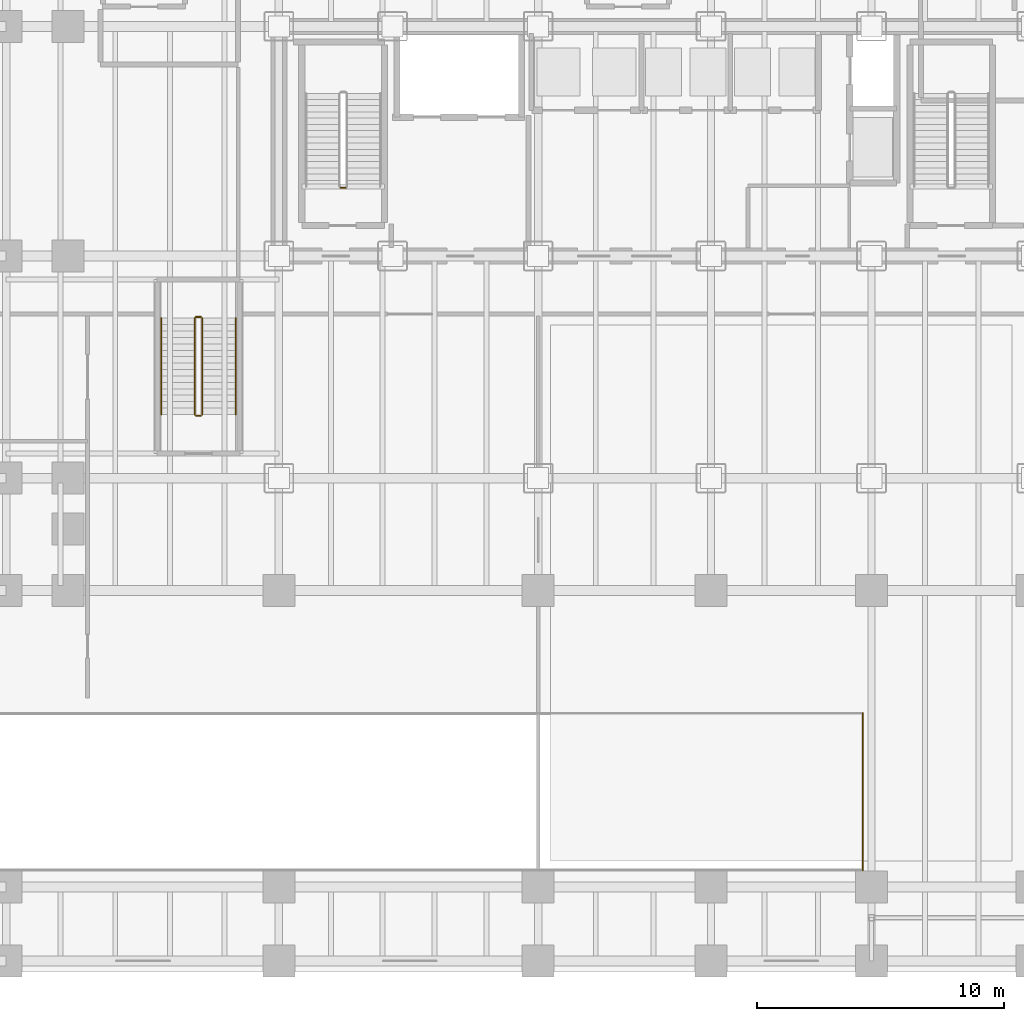
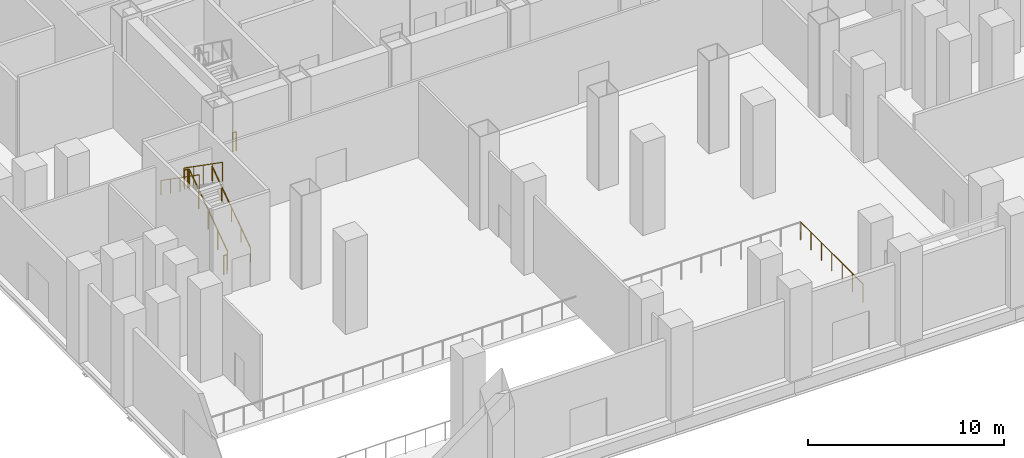
# One storey, part 28 of 36: 8 railings.
"""IFC4 building model written with IfcOpenShell, lengths in metres."""

from ifc_helpers import new_model, si_unit, direction, frame, origin, origin_2d, place, context, subcontext, project, spatial, circle, extrude, material, layer, layer_set, type_object, element, save


model = new_model("IFC4")

# Units and contexts
model_context = context("Model", 3, precision=1e-05, world=origin(), true_north=direction((0.0, 1.0)))
body_context = subcontext(model_context, "Body", "Model", "MODEL_VIEW")
ifc_project = project(units=[si_unit("LENGTHUNIT", "METRE"), si_unit("AREAUNIT", "SQUARE_METRE"), si_unit("VOLUMEUNIT", "CUBIC_METRE"), si_unit("PLANEANGLEUNIT", "RADIAN"), si_unit("MASSUNIT", "GRAM", prefix="KILO")], contexts=[model_context])

# Site, building, storey
site_placement = place(None, origin())
site = spatial("IfcSite", under=ifc_project, at=site_placement, CompositionType="ELEMENT")
building_placement = place(site_placement, origin())
building = spatial("IfcBuilding", under=site, at=building_placement, Name="Noeulbin Bourse Tower", CompositionType="ELEMENT")
storey_placement = place(building_placement, origin())
storey = spatial("IfcBuildingStorey", under=building, at=storey_placement, Name="L01", CompositionType="ELEMENT", Elevation=0.0)

# Railings
ifc_material_1 = material(Name="Galvanised Tubular Steel S355", Category="steel")
ifc_layer_1 = layer(ifc_material_1, 0.06005859375)
ifc_layer_set_1 = layer_set([ifc_layer_1], Name="Galvanised Tubular Steel S355")
railing_type_1 = type_object("IfcRailingType", Name="RLG-RMP-1100", PredefinedType="GUARDRAIL", material=ifc_layer_set_1)
railing_1_placement = place(storey_placement, frame((37.14990234375, 4.1201171875, 0.0)))
element("IfcRailing", 1, at=railing_1_placement, inside=storey, type_object=railing_type_1, Name="Ramp Portal East Head Guardrail GD-R11-E", PredefinedType="GUARDRAIL", context=body_context, shape_type="SweptSolid", body=[
    extrude(circle(Radius=0.02392578125, at=origin_2d()), frame((0.0, 0.0, 1.1259765625), z_axis=(0.0, 1.0, 0.0), x_axis=(-1.0, 0.0, 0.0)), (0.0, 0.0, 1.0), 6.35986328125),
    extrude(circle(Radius=0.02099609375, at=origin_2d()), origin(), (0.0, 0.0, 1.0), 1.101806640625),
    extrude(circle(Radius=0.02099609375, at=origin_2d()), frame((0.0, 1.06005859375, 0.0)), (0.0, 0.0, 1.0), 1.101806640625),
    extrude(circle(Radius=0.02099609375, at=origin_2d()), frame((0.0, 2.119873046875, 0.0)), (0.0, 0.0, 1.0), 1.101806640625),
    extrude(circle(Radius=0.02099609375, at=origin_2d()), frame((0.0, 3.179931640625, 0.0)), (0.0, 0.0, 1.0), 1.101806640625),
    extrude(circle(Radius=0.02099609375, at=origin_2d()), frame((0.0, 4.239990234375, 0.0)), (0.0, 0.0, 1.0), 1.101806640625),
    extrude(circle(Radius=0.02099609375, at=origin_2d()), frame((0.0, 5.2998046875, 0.0)), (0.0, 0.0, 1.0), 1.101806640625),
    extrude(circle(Radius=0.02099609375, at=origin_2d()), frame((0.0, 6.35986328125, 0.0)), (0.0, 0.0, 1.0), 1.101806640625),
])
ifc_material_2 = material(Name="Painted Tubular Steel S355", Category="steel")
ifc_layer_2 = layer(ifc_material_2, 0.048095703125)
ifc_layer_set_2 = layer_set([ifc_layer_2], Name="Painted Tubular Steel S355")
railing_type_2 = type_object("IfcRailingType", Name="RLG-STR-GRD", PredefinedType="GUARDRAIL", material=ifc_layer_set_2)
railing_2_placement = place(storey_placement, frame((16.199951171875, 31.760009765625, 0.0)))
element("IfcRailing", 2, at=railing_2_placement, inside=storey, type_object=railing_type_2, Name="L01 ST-1 stair guard 4", PredefinedType="GUARDRAIL", context=body_context, shape_type="SweptSolid", body=[
    extrude(circle(Radius=0.02392578125, at=origin_2d()), frame((0.0, 0.0, 1.17578125), z_axis=(-1.0, 0.0, 0.0), x_axis=(0.0, -1.0, 0.0)), (0.0, 0.0, 1.0), 0.199951171875),
    extrude(circle(Radius=0.02099609375, at=origin_2d()), origin(), (0.0, 0.0, 1.0), 1.15185546875),
    extrude(circle(Radius=0.02099609375, at=origin_2d()), frame((-0.199951171875, 0.0, 0.0)), (0.0, 0.0, 1.0), 1.15185546875),
])
railing_3_placement = place(storey_placement, frame((10.389892578125, 22.580078125, 0.18115234375)))
element("IfcRailing", 3, at=railing_3_placement, inside=storey, type_object=railing_type_2, Name="L01 ST-P1 stair guard 1", PredefinedType="GUARDRAIL", context=body_context, shape_type="SweptSolid", body=[
    extrude(circle(Radius=0.02392578125, at=origin_2d()), frame((0.0, 0.0, 1.17578125), z_axis=(0.0, 0.820335381215, 0.571882734769), x_axis=(-1.0, 0.0, 0.0)), (0.0, 0.0, 1.0), 4.754150390625),
    extrude(circle(Radius=0.02099609375, at=origin_2d()), origin(), (0.0, 0.0, 1.0), 1.15185546875),
    extrude(circle(Radius=0.02099609375, at=origin_2d()), frame((0.0, 0.97509765625, 0.6796875)), (0.0, 0.0, 1.0), 1.15185546875),
    extrude(circle(Radius=0.02099609375, at=origin_2d()), frame((0.0, 1.949951171875, 1.359375)), (0.0, 0.0, 1.0), 1.15185546875),
    extrude(circle(Radius=0.02099609375, at=origin_2d()), frame((0.0, 2.9248046875, 2.0390625)), (0.0, 0.0, 1.0), 1.15185546875),
    extrude(circle(Radius=0.02099609375, at=origin_2d()), frame((0.0, 3.89990234375, 2.71875)), (0.0, 0.0, 1.0), 1.15185546875),
])
railing_4_placement = place(storey_placement, frame((10.340087890625, 26.530029296875, 2.89990234375)))
element("IfcRailing", 4, at=railing_4_placement, inside=storey, type_object=railing_type_2, Name="L01 ST-P1 stair guard 2", PredefinedType="GUARDRAIL", context=body_context, shape_type="SweptSolid", body=[
    extrude(circle(Radius=0.02392578125, at=origin_2d()), frame((0.0, 0.0, 1.17578125), z_axis=(-1.0, 0.0, 0.0), x_axis=(0.0, -1.0, 0.0)), (0.0, 0.0, 1.0), 0.2001953125),
    extrude(circle(Radius=0.02099609375, at=origin_2d()), origin(), (0.0, 0.0, 1.0), 1.15185546875),
    extrude(circle(Radius=0.02099609375, at=origin_2d()), frame((-0.2001953125, 0.0, 0.0)), (0.0, 0.0, 1.0), 1.15185546875),
])
railing_5_placement = place(storey_placement, frame((10.090087890625, 26.47998046875, 3.081298828125)))
element("IfcRailing", 5, at=railing_5_placement, inside=storey, type_object=railing_type_2, Name="L01 ST-P1 stair guard 3", PredefinedType="GUARDRAIL", context=body_context, shape_type="SweptSolid", body=[
    extrude(circle(Radius=0.02392578125, at=origin_2d()), frame((0.0, 0.0, 1.17578125), z_axis=(0.0, -0.820335381215, 0.571882734769), x_axis=(1.0, 0.0, 0.0)), (0.0, 0.0, 1.0), 4.754150390625),
    extrude(circle(Radius=0.02099609375, at=origin_2d()), origin(), (0.0, 0.0, 1.0), 1.15185546875),
    extrude(circle(Radius=0.02099609375, at=origin_2d()), frame((0.0, -0.97509765625, 0.6796875)), (0.0, 0.0, 1.0), 1.15185546875),
    extrude(circle(Radius=0.02099609375, at=origin_2d()), frame((0.0, -1.949951171875, 1.359375)), (0.0, 0.0, 1.0), 1.15185546875),
    extrude(circle(Radius=0.02099609375, at=origin_2d()), frame((0.0, -2.9248046875, 2.0390625)), (0.0, 0.0, 1.0), 1.15185546875),
    extrude(circle(Radius=0.02099609375, at=origin_2d()), frame((0.0, -3.89990234375, 2.71875)), (0.0, 0.0, 1.0), 1.15185546875),
])
railing_6_placement = place(storey_placement, frame((10.340087890625, 22.530029296875, 0.0)))
element("IfcRailing", 6, at=railing_6_placement, inside=storey, type_object=railing_type_2, Name="L01 ST-P1 stair guard 4", PredefinedType="GUARDRAIL", context=body_context, shape_type="SweptSolid", body=[
    extrude(circle(Radius=0.02392578125, at=origin_2d()), frame((0.0, 0.0, 1.17578125), z_axis=(-1.0, 0.0, 0.0), x_axis=(0.0, -1.0, 0.0)), (0.0, 0.0, 1.0), 0.2001953125),
    extrude(circle(Radius=0.02099609375, at=origin_2d()), origin(), (0.0, 0.0, 1.0), 1.15185546875),
    extrude(circle(Radius=0.02099609375, at=origin_2d()), frame((-0.2001953125, 0.0, 0.0)), (0.0, 0.0, 1.0), 1.15185546875),
])
ifc_material_3 = material(Name="Brushed Stainless Steel 316", Category="steel")
ifc_layer_3 = layer(ifc_material_3, 0.048095703125)
ifc_layer_set_3 = layer_set([ifc_layer_3], Name="Brushed Stainless Steel 316")
railing_type_3 = type_object("IfcRailingType", Name="RLG-STR-HND", PredefinedType="HANDRAIL", material=ifc_layer_set_3)
railing_7_placement = place(storey_placement, frame((11.75, 22.580078125, 0.18115234375)))
element("IfcRailing", 7, at=railing_7_placement, inside=storey, type_object=railing_type_3, Name="L01 ST-P1 stair handrail 1", PredefinedType="HANDRAIL", context=body_context, shape_type="SweptSolid", body=[
    extrude(circle(Radius=0.02392578125, at=origin_2d()), frame((0.0, 0.0, 0.8759765625), z_axis=(0.0, 0.820335381215, 0.571882734769), x_axis=(-1.0, 0.0, 0.0)), (0.0, 0.0, 1.0), 4.754150390625),
    extrude(circle(Radius=0.02099609375, at=origin_2d()), origin(), (0.0, 0.0, 1.0), 0.851806640625),
    extrude(circle(Radius=0.02099609375, at=origin_2d()), frame((0.0, 0.97509765625, 0.6796875)), (0.0, 0.0, 1.0), 0.851806640625),
    extrude(circle(Radius=0.02099609375, at=origin_2d()), frame((0.0, 1.949951171875, 1.359375)), (0.0, 0.0, 1.0), 0.851806640625),
    extrude(circle(Radius=0.02099609375, at=origin_2d()), frame((0.0, 2.9248046875, 2.0390625)), (0.0, 0.0, 1.0), 0.851806640625),
    extrude(circle(Radius=0.02099609375, at=origin_2d()), frame((0.0, 3.89990234375, 2.71875)), (0.0, 0.0, 1.0), 0.851806640625),
])
railing_8_placement = place(storey_placement, frame((8.72998046875, 26.47998046875, 3.081298828125)))
element("IfcRailing", 8, at=railing_8_placement, inside=storey, type_object=railing_type_3, Name="L01 ST-P1 stair handrail 2", PredefinedType="HANDRAIL", context=body_context, shape_type="SweptSolid", body=[
    extrude(circle(Radius=0.02392578125, at=origin_2d()), frame((0.0, 0.0, 0.8759765625), z_axis=(0.0, -0.820335381215, 0.571882734769), x_axis=(1.0, 0.0, 0.0)), (0.0, 0.0, 1.0), 4.754150390625),
    extrude(circle(Radius=0.02099609375, at=origin_2d()), origin(), (0.0, 0.0, 1.0), 0.851806640625),
    extrude(circle(Radius=0.02099609375, at=origin_2d()), frame((0.0, -0.97509765625, 0.6796875)), (0.0, 0.0, 1.0), 0.851806640625),
    extrude(circle(Radius=0.02099609375, at=origin_2d()), frame((0.0, -1.949951171875, 1.359375)), (0.0, 0.0, 1.0), 0.851806640625),
    extrude(circle(Radius=0.02099609375, at=origin_2d()), frame((0.0, -2.9248046875, 2.0390625)), (0.0, 0.0, 1.0), 0.851806640625),
    extrude(circle(Radius=0.02099609375, at=origin_2d()), frame((0.0, -3.89990234375, 2.71875)), (0.0, 0.0, 1.0), 0.851806640625),
])

save(model, "model.ifc")
